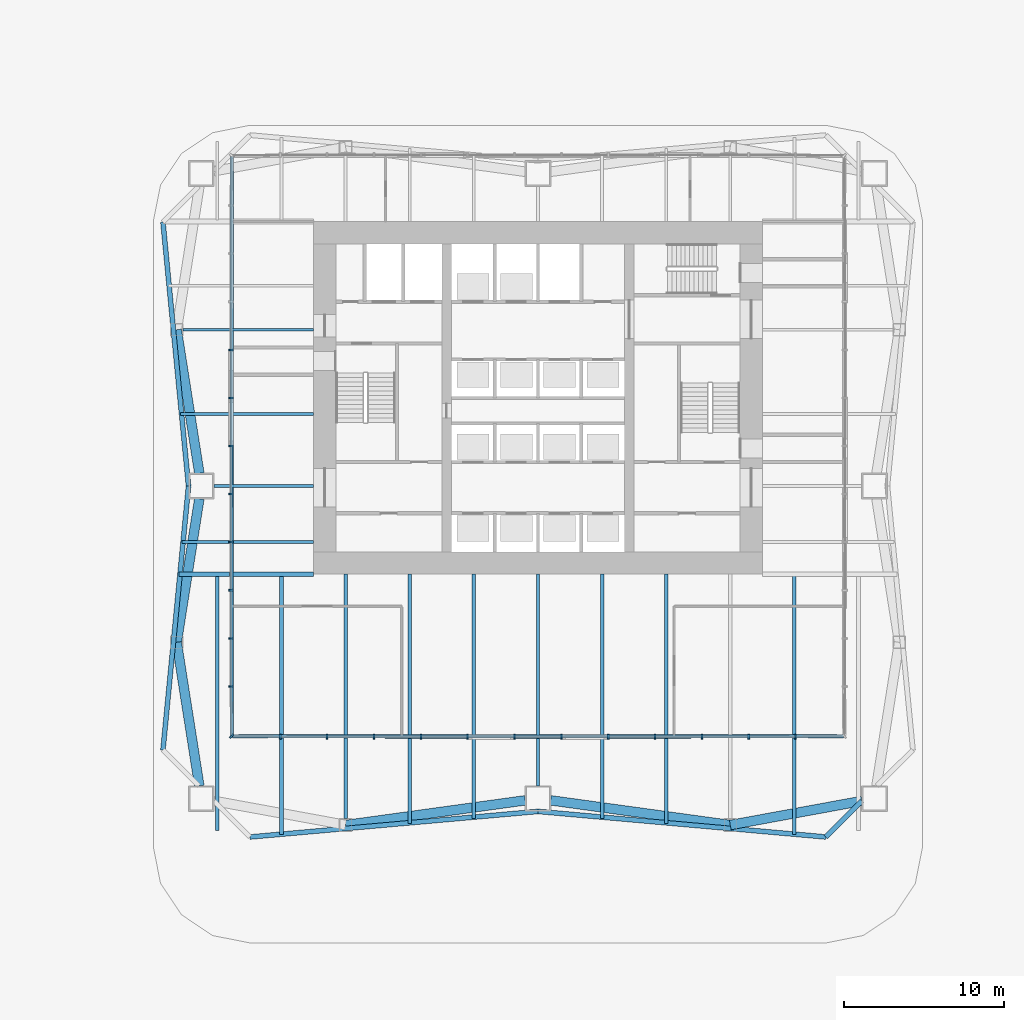
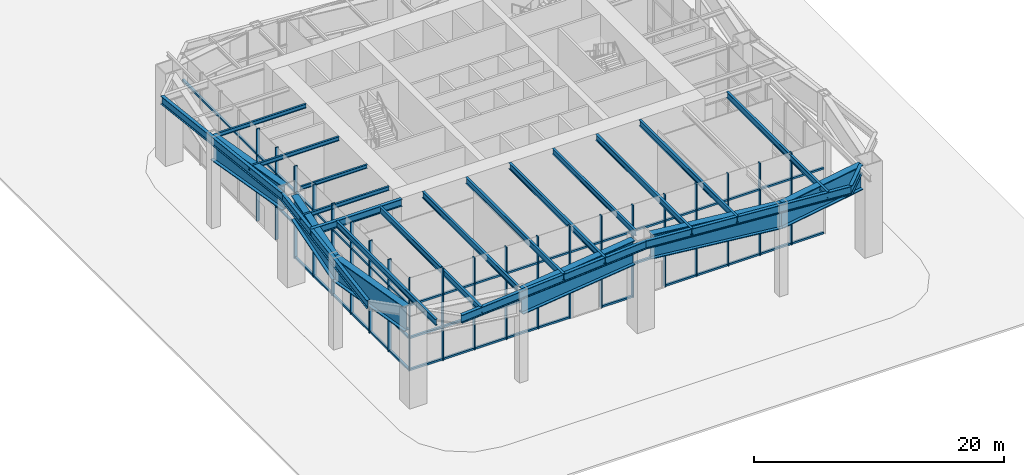
# One storey, part 2 of 13: 29 members, 25 beams, 2 elements without a shape of their own.
"""IFC4 building model written with IfcOpenShell, lengths in metres."""

from ifc_helpers import new_model, si_unit, direction, frame, origin, origin_2d, place, context, subcontext, project, spatial, rectangle, i_section, extrude, material, material_profile, profile_set, type_object, element, aggregate, save


model = new_model("IFC4")

# Units and contexts
model_context = context("Model", 3, precision=1e-05, world=origin(), true_north=direction((0.0, 1.0)))
body_context = subcontext(model_context, "Body", "Model", "MODEL_VIEW")
ifc_project = project(units=[si_unit("LENGTHUNIT", "METRE"), si_unit("AREAUNIT", "SQUARE_METRE"), si_unit("VOLUMEUNIT", "CUBIC_METRE"), si_unit("PLANEANGLEUNIT", "RADIAN"), si_unit("MASSUNIT", "GRAM", prefix="KILO")], contexts=[model_context])

# Site, building, storey
site_placement = place(None, origin())
site = spatial("IfcSite", under=ifc_project, at=site_placement, CompositionType="ELEMENT")
building_placement = place(site_placement, origin())
building = spatial("IfcBuilding", under=site, at=building_placement, Name="Verdant Reach Tower", CompositionType="ELEMENT")
storey_placement = place(building_placement, origin())
storey = spatial("IfcBuildingStorey", under=building, at=storey_placement, Name="G", CompositionType="ELEMENT", Elevation=0.0)

# Curtain wall, members
ifc_material_1 = material(Name="Anodised aluminium", Category="aluminium")
curtain_wall_type = type_object("IfcCurtainWallType", Name="EN-CW SYSTEM LOBBY", PredefinedType="NOTDEFINED", material=ifc_material_1)
curtain_wall_1_placement = place(storey_placement, origin())
curtain_wall_1 = element("IfcCurtainWall", 1, at=curtain_wall_1_placement, inside=storey, type_object=curtain_wall_type, Name="Curtain wall south, G", PredefinedType="NOTDEFINED")
ifc_material_profile_1 = material_profile(ifc_material_1, rectangle(XDim=0.300048828125, YDim=0.10009765625, at=origin_2d()), Name="Mullion 100x300")
ifc_profile_set_1 = profile_set([ifc_material_profile_1], Name="Anodised aluminium")
member_type_1 = type_object("IfcMemberType", Name="EN-MULLION LOBBY", PredefinedType="MULLION", material=ifc_profile_set_1)
member_1_placement = place(storey_placement, frame((-19.10595703125, 6.89404296875, 0.0), z_axis=(0.0, 0.0, 1.0), x_axis=(-0.707106781187, -0.707106781187, 0.0)))
member_1 = element("IfcMember", 2, at=member_1_placement, type_object=member_type_1, Name="Mullion south face part 1 1, G", PredefinedType="MULLION", context=body_context, shape_type="SweptSolid", body=[
    extrude(rectangle(XDim=0.300048828125, YDim=0.10009765625, at=origin_2d()), origin(), (0.0, 0.0, 1.0), 9.0),
])
member_2_placement = place(storey_placement, frame((-16.076904296875, 6.85009765625, 0.0), z_axis=(0.0, 0.0, 1.0), x_axis=(0.0, -1.0, 0.0)))
member_2 = element("IfcMember", 3, at=member_2_placement, type_object=member_type_1, Name="Mullion south face part 1 2, G", PredefinedType="MULLION", context=body_context, shape_type="SweptSolid", body=[
    extrude(rectangle(XDim=0.300048828125, YDim=0.10009765625, at=origin_2d()), origin(), (0.0, 0.0, 1.0), 9.0),
])
member_3_placement = place(storey_placement, frame((-13.15380859375, 6.85009765625, 0.0), z_axis=(0.0, 0.0, 1.0), x_axis=(0.0, -1.0, 0.0)))
member_3 = element("IfcMember", 4, at=member_3_placement, type_object=member_type_1, Name="Mullion south face part 1 3, G", PredefinedType="MULLION", context=body_context, shape_type="SweptSolid", body=[
    extrude(rectangle(XDim=0.300048828125, YDim=0.10009765625, at=origin_2d()), origin(), (0.0, 0.0, 1.0), 9.0),
])
member_4_placement = place(storey_placement, frame((-10.230712890625, 6.85009765625, 0.0), z_axis=(0.0, 0.0, 1.0), x_axis=(0.0, -1.0, 0.0)))
member_4 = element("IfcMember", 5, at=member_4_placement, type_object=member_type_1, Name="Mullion south face part 1 4, G", PredefinedType="MULLION", context=body_context, shape_type="SweptSolid", body=[
    extrude(rectangle(XDim=0.300048828125, YDim=0.10009765625, at=origin_2d()), origin(), (0.0, 0.0, 1.0), 9.0),
])
member_5_placement = place(storey_placement, frame((-7.3076171875, 6.85009765625, 0.0), z_axis=(0.0, 0.0, 1.0), x_axis=(0.0, -1.0, 0.0)))
member_5 = element("IfcMember", 6, at=member_5_placement, type_object=member_type_1, Name="Mullion south face part 1 5, G", PredefinedType="MULLION", context=body_context, shape_type="SweptSolid", body=[
    extrude(rectangle(XDim=0.300048828125, YDim=0.10009765625, at=origin_2d()), origin(), (0.0, 0.0, 1.0), 9.0),
])
member_6_placement = place(storey_placement, frame((-4.384521484375, 6.85009765625, 0.0), z_axis=(0.0, 0.0, 1.0), x_axis=(0.0, -1.0, 0.0)))
member_6 = element("IfcMember", 7, at=member_6_placement, type_object=member_type_1, Name="Mullion south face part 1 6, G", PredefinedType="MULLION", context=body_context, shape_type="SweptSolid", body=[
    extrude(rectangle(XDim=0.300048828125, YDim=0.10009765625, at=origin_2d()), origin(), (0.0, 0.0, 1.0), 9.0),
])
member_7_placement = place(storey_placement, frame((-1.46142578125, 6.85009765625, 0.0), z_axis=(0.0, 0.0, 1.0), x_axis=(0.0, -1.0, 0.0)))
member_7 = element("IfcMember", 8, at=member_7_placement, type_object=member_type_1, Name="Mullion south face part 1 7, G", PredefinedType="MULLION", context=body_context, shape_type="SweptSolid", body=[
    extrude(rectangle(XDim=0.300048828125, YDim=0.10009765625, at=origin_2d()), origin(), (0.0, 0.0, 1.0), 9.0),
])
member_8_placement = place(storey_placement, frame((1.46142578125, 6.85009765625, 0.0), z_axis=(0.0, 0.0, 1.0), x_axis=(0.0, -1.0, 0.0)))
member_8 = element("IfcMember", 9, at=member_8_placement, type_object=member_type_1, Name="Mullion south face part 1 8, G", PredefinedType="MULLION", context=body_context, shape_type="SweptSolid", body=[
    extrude(rectangle(XDim=0.300048828125, YDim=0.10009765625, at=origin_2d()), origin(), (0.0, 0.0, 1.0), 9.0),
])
member_9_placement = place(storey_placement, frame((4.384521484375, 6.85009765625, 0.0), z_axis=(0.0, 0.0, 1.0), x_axis=(0.0, -1.0, 0.0)))
member_9 = element("IfcMember", 10, at=member_9_placement, type_object=member_type_1, Name="Mullion south face part 1 9, G", PredefinedType="MULLION", context=body_context, shape_type="SweptSolid", body=[
    extrude(rectangle(XDim=0.300048828125, YDim=0.10009765625, at=origin_2d()), origin(), (0.0, 0.0, 1.0), 9.0),
])
member_10_placement = place(storey_placement, frame((7.3076171875, 6.85009765625, 0.0), z_axis=(0.0, 0.0, 1.0), x_axis=(0.0, -1.0, 0.0)))
member_10 = element("IfcMember", 11, at=member_10_placement, type_object=member_type_1, Name="Mullion south face part 1 10, G", PredefinedType="MULLION", context=body_context, shape_type="SweptSolid", body=[
    extrude(rectangle(XDim=0.300048828125, YDim=0.10009765625, at=origin_2d()), origin(), (0.0, 0.0, 1.0), 9.0),
])
member_11_placement = place(storey_placement, frame((10.230712890625, 6.85009765625, 0.0), z_axis=(0.0, 0.0, 1.0), x_axis=(0.0, -1.0, 0.0)))
member_11 = element("IfcMember", 12, at=member_11_placement, type_object=member_type_1, Name="Mullion south face part 1 11, G", PredefinedType="MULLION", context=body_context, shape_type="SweptSolid", body=[
    extrude(rectangle(XDim=0.300048828125, YDim=0.10009765625, at=origin_2d()), origin(), (0.0, 0.0, 1.0), 9.0),
])
member_12_placement = place(storey_placement, frame((13.15380859375, 6.85009765625, 0.0), z_axis=(0.0, 0.0, 1.0), x_axis=(0.0, -1.0, 0.0)))
member_12 = element("IfcMember", 13, at=member_12_placement, type_object=member_type_1, Name="Mullion south face part 1 12, G", PredefinedType="MULLION", context=body_context, shape_type="SweptSolid", body=[
    extrude(rectangle(XDim=0.300048828125, YDim=0.10009765625, at=origin_2d()), origin(), (0.0, 0.0, 1.0), 9.0),
])
member_13_placement = place(storey_placement, frame((16.076904296875, 6.85009765625, 0.0), z_axis=(0.0, 0.0, 1.0), x_axis=(0.0, -1.0, 0.0)))
member_13 = element("IfcMember", 14, at=member_13_placement, type_object=member_type_1, Name="Mullion south face part 1 13, G", PredefinedType="MULLION", context=body_context, shape_type="SweptSolid", body=[
    extrude(rectangle(XDim=0.300048828125, YDim=0.10009765625, at=origin_2d()), origin(), (0.0, 0.0, 1.0), 9.0),
])

curtain_wall_2_placement = place(storey_placement, origin())
curtain_wall_2 = element("IfcCurtainWall", 15, at=curtain_wall_2_placement, inside=storey, type_object=curtain_wall_type, Name="Curtain wall west, G", PredefinedType="NOTDEFINED")
member_14_placement = place(storey_placement, frame((-19.14990234375, 31.0, 0.0), z_axis=(0.0, 0.0, 1.0), x_axis=(-1.0, 0.0, 0.0)))
member_14 = element("IfcMember", 16, at=member_14_placement, type_object=member_type_1, Name="Mullion west face part 1 5, G", PredefinedType="MULLION", context=body_context, shape_type="SweptSolid", body=[
    extrude(rectangle(XDim=0.300048828125, YDim=0.10009765625, at=origin_2d()), origin(), (0.0, 0.0, 1.0), 9.0),
])
member_15_placement = place(storey_placement, frame((-19.14990234375, 28.0, 0.0), z_axis=(0.0, 0.0, 1.0), x_axis=(-1.0, 0.0, 0.0)))
member_15 = element("IfcMember", 17, at=member_15_placement, type_object=member_type_1, Name="Mullion west face part 1 6, G", PredefinedType="MULLION", context=body_context, shape_type="SweptSolid", body=[
    extrude(rectangle(XDim=0.300048828125, YDim=0.10009765625, at=origin_2d()), origin(), (0.0, 0.0, 1.0), 9.0),
])
member_16_placement = place(storey_placement, frame((-19.14990234375, 25.0, 0.0), z_axis=(0.0, 0.0, 1.0), x_axis=(-1.0, 0.0, 0.0)))
member_16 = element("IfcMember", 18, at=member_16_placement, type_object=member_type_1, Name="Mullion west face part 1 7, G", PredefinedType="MULLION", context=body_context, shape_type="SweptSolid", body=[
    extrude(rectangle(XDim=0.300048828125, YDim=0.10009765625, at=origin_2d()), origin(), (0.0, 0.0, 1.0), 9.0),
])
member_17_placement = place(storey_placement, frame((-19.14990234375, 22.0, 0.0), z_axis=(0.0, 0.0, 1.0), x_axis=(-1.0, 0.0, 0.0)))
member_17 = element("IfcMember", 19, at=member_17_placement, type_object=member_type_1, Name="Mullion west face part 1 8, G", PredefinedType="MULLION", context=body_context, shape_type="SweptSolid", body=[
    extrude(rectangle(XDim=0.300048828125, YDim=0.10009765625, at=origin_2d()), origin(), (0.0, 0.0, 1.0), 9.0),
])
member_18_placement = place(storey_placement, frame((-19.14990234375, 19.0, 0.0), z_axis=(0.0, 0.0, 1.0), x_axis=(-1.0, 0.0, 0.0)))
member_18 = element("IfcMember", 20, at=member_18_placement, type_object=member_type_1, Name="Mullion west face part 1 9, G", PredefinedType="MULLION", context=body_context, shape_type="SweptSolid", body=[
    extrude(rectangle(XDim=0.300048828125, YDim=0.10009765625, at=origin_2d()), origin(), (0.0, 0.0, 1.0), 9.0),
])
member_19_placement = place(storey_placement, frame((-19.14990234375, 16.0, 0.0), z_axis=(0.0, 0.0, 1.0), x_axis=(-1.0, 0.0, 0.0)))
member_19 = element("IfcMember", 21, at=member_19_placement, type_object=member_type_1, Name="Mullion west face part 1 10, G", PredefinedType="MULLION", context=body_context, shape_type="SweptSolid", body=[
    extrude(rectangle(XDim=0.300048828125, YDim=0.10009765625, at=origin_2d()), origin(), (0.0, 0.0, 1.0), 9.0),
])
member_20_placement = place(storey_placement, frame((-19.14990234375, 13.0, 0.0), z_axis=(0.0, 0.0, 1.0), x_axis=(-1.0, 0.0, 0.0)))
member_20 = element("IfcMember", 22, at=member_20_placement, type_object=member_type_1, Name="Mullion west face part 1 11, G", PredefinedType="MULLION", context=body_context, shape_type="SweptSolid", body=[
    extrude(rectangle(XDim=0.300048828125, YDim=0.10009765625, at=origin_2d()), origin(), (0.0, 0.0, 1.0), 9.0),
])
member_21_placement = place(storey_placement, frame((-19.14990234375, 10.0, 0.0), z_axis=(0.0, 0.0, 1.0), x_axis=(-1.0, 0.0, 0.0)))
member_21 = element("IfcMember", 23, at=member_21_placement, type_object=member_type_1, Name="Mullion west face part 1 12, G", PredefinedType="MULLION", context=body_context, shape_type="SweptSolid", body=[
    extrude(rectangle(XDim=0.300048828125, YDim=0.10009765625, at=origin_2d()), origin(), (0.0, 0.0, 1.0), 9.0),
])

# Member
ifc_material_profile_2 = material_profile(ifc_material_1, rectangle(XDim=0.199951171875, YDim=0.179931640625, at=origin_2d()), Name="Transom 180x200")
ifc_profile_set_2 = profile_set([ifc_material_profile_2], Name="Anodised aluminium")
member_type_2 = type_object("IfcMemberType", Name="EN-TRANSOM LOBBY", PredefinedType="USERDEFINED", material=ifc_profile_set_2)
member_22_placement = place(storey_placement, frame((-19.05615234375, 6.893798828125, 0.090087890625), z_axis=(0.999995533529, -0.002988799474, 0.0), x_axis=(0.002988799474, 0.999995533529, 0.0)))
member_22 = element("IfcMember", 24, at=member_22_placement, type_object=member_type_2, Name="Transom south face part 1 1.1, G", ObjectType="TRANSOM", PredefinedType="USERDEFINED", context=body_context, shape_type="SweptSolid", body=[
    extrude(rectangle(XDim=0.199951171875, YDim=0.179931640625, at=origin_2d()), origin(), (0.0, 0.0, 1.0), 14.62158203125),
])

member_23_placement = place(storey_placement, frame((-1.41162109375, 6.85009765625, 0.090087890625), z_axis=(1.0, 0.0, 0.0), x_axis=(0.0, 1.0, 0.0)))
member_23 = element("IfcMember", 25, at=member_23_placement, type_object=member_type_2, Name="Transom south face part 1 2.1, G", ObjectType="TRANSOM", PredefinedType="USERDEFINED", context=body_context, shape_type="SweptSolid", body=[
    extrude(rectangle(XDim=0.199951171875, YDim=0.179931640625, at=origin_2d()), origin(), (0.0, 0.0, 1.0), 2.8232421875),
])

member_24_placement = place(storey_placement, frame((4.4345703125, 6.85009765625, 0.090087890625), z_axis=(0.999995533529, 0.002988799474, 0.0), x_axis=(-0.002988799474, 0.999995533529, 0.0)))
member_24 = element("IfcMember", 26, at=member_24_placement, type_object=member_type_2, Name="Transom south face part 1 3.1, G", ObjectType="TRANSOM", PredefinedType="USERDEFINED", context=body_context, shape_type="SweptSolid", body=[
    extrude(rectangle(XDim=0.199951171875, YDim=0.179931640625, at=origin_2d()), origin(), (0.0, 0.0, 1.0), 14.62158203125),
])

member_25_placement = place(storey_placement, frame((-19.05615234375, 6.89404296875, 3.199951171875), z_axis=(1.0, 0.0, 0.0), x_axis=(0.0, 1.0, 0.0)))
member_25 = element("IfcMember", 27, at=member_25_placement, type_object=member_type_2, Name="Transom south face part 1 1.2, G", ObjectType="TRANSOM", PredefinedType="USERDEFINED", context=body_context, shape_type="SweptSolid", body=[
    extrude(rectangle(XDim=0.199951171875, YDim=0.179931640625, at=origin_2d()), origin(), (0.0, 0.0, 1.0), 38.1123046875),
])

member_26_placement = place(storey_placement, frame((-19.05615234375, 6.89404296875, 6.39990234375), z_axis=(1.0, 0.0, 0.0), x_axis=(0.0, 1.0, 0.0)))
member_26 = element("IfcMember", 28, at=member_26_placement, type_object=member_type_2, Name="Transom south face part 1 1.3, G", ObjectType="TRANSOM", PredefinedType="USERDEFINED", context=body_context, shape_type="SweptSolid", body=[
    extrude(rectangle(XDim=0.199951171875, YDim=0.179931640625, at=origin_2d()), origin(), (0.0, 0.0, 1.0), 38.1123046875),
])

aggregate(curtain_wall_1, [member_1, member_2, member_3, member_4, member_5, member_6, member_7, member_8, member_9, member_10, member_11, member_12, member_13, member_22, member_23, member_24, member_25, member_26])

member_27_placement = place(storey_placement, frame((-19.14990234375, 24.949951171875, 0.090087890625), z_axis=(0.00242701277, -0.9999970548, 0.0), x_axis=(0.9999970548, 0.00242701277, 0.0)))
member_27 = element("IfcMember", 29, at=member_27_placement, type_object=member_type_2, Name="Transom west face part 1 2.1, G", ObjectType="TRANSOM", PredefinedType="USERDEFINED", context=body_context, shape_type="SweptSolid", body=[
    extrude(rectangle(XDim=0.199951171875, YDim=0.179931640625, at=origin_2d()), origin(), (0.0, 0.0, 1.0), 18.006103515625),
])

member_28_placement = place(storey_placement, frame((-19.10595703125, 43.05615234375, 3.199951171875), z_axis=(0.0, -1.0, 0.0), x_axis=(1.0, 0.0, 0.0)))
member_28 = element("IfcMember", 30, at=member_28_placement, type_object=member_type_2, Name="Transom west face part 1 1.2, G", ObjectType="TRANSOM", PredefinedType="USERDEFINED", context=body_context, shape_type="SweptSolid", body=[
    extrude(rectangle(XDim=0.199951171875, YDim=0.179931640625, at=origin_2d()), origin(), (0.0, 0.0, 1.0), 36.1123046875),
])

member_29_placement = place(storey_placement, frame((-19.10595703125, 43.05615234375, 6.39990234375), z_axis=(0.0, -1.0, 0.0), x_axis=(1.0, 0.0, 0.0)))
member_29 = element("IfcMember", 31, at=member_29_placement, type_object=member_type_2, Name="Transom west face part 1 1.3, G", ObjectType="TRANSOM", PredefinedType="USERDEFINED", context=body_context, shape_type="SweptSolid", body=[
    extrude(rectangle(XDim=0.199951171875, YDim=0.179931640625, at=origin_2d()), origin(), (0.0, 0.0, 1.0), 36.1123046875),
])

aggregate(curtain_wall_2, [member_14, member_15, member_16, member_17, member_18, member_19, member_20, member_21, member_27, member_28, member_29])

# Beams
ifc_material_2 = material(Name="Steel S355", Category="steel")
ifc_material_profile_3 = material_profile(ifc_material_2, i_section(OverallWidth=0.300048828125, OverallDepth=0.699951171875, WebThickness=0.01708984375, FlangeThickness=0.031982421875, FilletRadius=0.027099609375, at=origin_2d()), Name="HEB 700")
ifc_profile_set_3 = profile_set([ifc_material_profile_3], Name="Steel S355")
beam_type_1 = type_object("IfcBeamType", Name="ST-BEAM-HEB700", PredefinedType="BEAM", material=ifc_profile_set_3)
beam_1_placement = place(storey_placement, frame((-14.0, 17.0, 8.52001953125), z_axis=(-1.0, 0.0, 0.0), x_axis=(0.0, -1.0, 0.0)))
element("IfcBeam", 32, at=beam_1_placement, inside=storey, type_object=beam_type_1, Name="Trimmer beam, G", PredefinedType="BEAM", context=body_context, shape_type="SweptSolid", body=[
    extrude(i_section(OverallWidth=0.300048828125, OverallDepth=0.699951171875, WebThickness=0.01708984375, FlangeThickness=0.031982421875, FilletRadius=0.027099609375, at=origin_2d()), origin(), (0.0, 0.0, 1.0), 8.3974609375),
])
ifc_material_profile_4 = material_profile(ifc_material_2, i_section(OverallWidth=0.60009765625, OverallDepth=2.39990234375, WebThickness=0.0400390625, FlangeThickness=0.080078125, at=origin_2d()), Name="PG 2400x600x40x80")
ifc_profile_set_4 = profile_set([ifc_material_profile_4], Name="Steel S355")
beam_type_2 = type_object("IfcBeamType", Name="ST-BEAM-PG2400x600x40x80", PredefinedType="BEAM", material=ifc_profile_set_4)
for number, where, z_axis, x_axis, name in (
    (33, (-12.0, 1.35009765625, 7.669921875), (0.990679058264, 0.136216751966, 0.0), (-0.136216751966, 0.990679058264, 0.0), "Transfer girder south 6, ground storey"),
    (34, (0.79248046875, 2.89111328125, 7.669921875), (0.990679058264, -0.136216751966, 0.0), (0.136216751966, 0.990679058264, 0.0), "Transfer girder south 7, ground storey"),
):
    element("IfcBeam", number, at=place(storey_placement, frame(where, z_axis=z_axis, x_axis=x_axis)), inside=storey, type_object=beam_type_2, Name=name, PredefinedType="BEAM", context=body_context, shape_type="SweptSolid", body=[
        extrude(i_section(OverallWidth=0.60009765625, OverallDepth=2.39990234375, WebThickness=0.0400390625, FlangeThickness=0.080078125, at=origin_2d()), origin(), (0.0, 0.0, 1.0), 11.31298828125),
    ])
beam_2_placement = place(storey_placement, frame((12.0, 1.35009765625, 7.669921875), z_axis=(0.983609236735, 0.180313253558, 0.0), x_axis=(-0.180313253558, 0.983609236735, 0.0)))
element("IfcBeam", 35, at=beam_2_placement, inside=storey, type_object=beam_type_2, Name="Transfer girder south 8, ground storey", PredefinedType="BEAM", context=body_context, shape_type="SweptSolid", body=[
    extrude(i_section(OverallWidth=0.60009765625, OverallDepth=2.39990234375, WebThickness=0.0400390625, FlangeThickness=0.080078125, at=origin_2d()), origin(), (0.0, 0.0, 1.0), 8.35009765625),
])
for number, where, z_axis, x_axis, name in (
    (36, (-21.12451171875, 3.790283203125, 7.669921875), (-0.155658481672, 0.987810931851, 0.0), (-0.987810931851, -0.155658481672, 0.0), "Transfer girder west 13, ground storey"),
    (37, (-22.536376953125, 12.75, 7.669921875), (0.155658481672, 0.987810931851, 0.0), (-0.987810931851, 0.155658481672, 0.0), "Transfer girder west 14, ground storey"),
    (38, (-21.12451171875, 23.290283203125, 7.669921875), (-0.155658481672, 0.987810931851, 0.0), (-0.987810931851, -0.155658481672, 0.0), "Transfer girder west 15, ground storey"),
):
    element("IfcBeam", number, at=place(storey_placement, frame(where, z_axis=z_axis, x_axis=x_axis)), inside=storey, type_object=beam_type_2, Name=name, PredefinedType="BEAM", context=body_context, shape_type="SweptSolid", body=[
        extrude(i_section(OverallWidth=0.60009765625, OverallDepth=2.39990234375, WebThickness=0.0400390625, FlangeThickness=0.080078125, at=origin_2d()), origin(), (0.0, 0.0, 1.0), 9.0703125),
    ])
ifc_material_profile_5 = material_profile(ifc_material_2, i_section(OverallWidth=0.169921875, OverallDepth=0.360107421875, WebThickness=0.008056640625, FlangeThickness=0.0126953125, FilletRadius=0.01806640625, at=origin_2d()), Name="IPE 360")
ifc_profile_set_5 = profile_set([ifc_material_profile_5], Name="Steel S355")
beam_type_3 = type_object("IfcBeamType", Name="ST-JOIST-IPE360", PredefinedType="JOIST", material=ifc_profile_set_5)
beam_3_placement = place(storey_placement, frame((-14.0, 22.5, 8.68994140625), z_axis=(-1.0, 0.0, 0.0), x_axis=(0.0, -1.0, 0.0)))
element("IfcBeam", 39, at=beam_3_placement, inside=storey, type_object=beam_type_3, Name="Floor joist, G", PredefinedType="JOIST", context=body_context, shape_type="SweptSolid", body=[
    extrude(i_section(OverallWidth=0.169921875, OverallDepth=0.360107421875, WebThickness=0.008056640625, FlangeThickness=0.0126953125, FilletRadius=0.01806640625, at=origin_2d()), origin(), (0.0, 0.0, 1.0), 6.199951171875),
])
ifc_material_profile_6 = material_profile(ifc_material_2, i_section(OverallWidth=0.179931640625, OverallDepth=0.39990234375, WebThickness=0.008544921875, FlangeThickness=0.013427734375, FilletRadius=0.02099609375, at=origin_2d()), Name="IPE 400")
ifc_profile_set_6 = profile_set([ifc_material_profile_6], Name="Steel S355")
beam_type_4 = type_object("IfcBeamType", Name="ST-JOIST-IPE400", PredefinedType="JOIST", material=ifc_profile_set_6)
beam_4_placement = place(storey_placement, frame((-14.0, 19.0, 8.669921875), z_axis=(-1.0, 0.0, 0.0), x_axis=(0.0, -1.0, 0.0)))
element("IfcBeam", 40, at=beam_4_placement, inside=storey, type_object=beam_type_4, Name="Floor joist, G", PredefinedType="JOIST", context=body_context, shape_type="SweptSolid", body=[
    extrude(i_section(OverallWidth=0.179931640625, OverallDepth=0.39990234375, WebThickness=0.008544921875, FlangeThickness=0.013427734375, FilletRadius=0.02099609375, at=origin_2d()), origin(), (0.0, 0.0, 1.0), 8.2158203125),
])
beam_5_placement = place(storey_placement, frame((-14.0, 27.0, 8.669921875), z_axis=(-1.0, 0.0, 0.0), x_axis=(0.0, -1.0, 0.0)))
element("IfcBeam", 41, at=beam_5_placement, inside=storey, type_object=beam_type_4, Name="Floor joist, G", PredefinedType="JOIST", context=body_context, shape_type="SweptSolid", body=[
    extrude(i_section(OverallWidth=0.179931640625, OverallDepth=0.39990234375, WebThickness=0.008544921875, FlangeThickness=0.013427734375, FilletRadius=0.02099609375, at=origin_2d()), origin(), (0.0, 0.0, 1.0), 8.306640625),
])
beam_6_placement = place(storey_placement, frame((-14.0, 32.25, 8.669921875), z_axis=(-1.0, 0.0, 0.0), x_axis=(0.0, -1.0, 0.0)))
element("IfcBeam", 42, at=beam_6_placement, inside=storey, type_object=beam_type_4, Name="Floor joist, G", PredefinedType="JOIST", context=body_context, shape_type="SweptSolid", body=[
    extrude(i_section(OverallWidth=0.179931640625, OverallDepth=0.39990234375, WebThickness=0.008544921875, FlangeThickness=0.013427734375, FilletRadius=0.02099609375, at=origin_2d()), origin(), (0.0, 0.0, 1.0), 8.136474609375),
])
ifc_material_profile_7 = material_profile(ifc_material_2, i_section(OverallWidth=0.2099609375, OverallDepth=0.550048828125, WebThickness=0.010986328125, FlangeThickness=0.01708984375, FilletRadius=0.02392578125, at=origin_2d()), Name="IPE 550")
ifc_profile_set_7 = profile_set([ifc_material_profile_7], Name="Steel S355")
beam_type_5 = type_object("IfcBeamType", Name="ST-JOIST-IPE550", PredefinedType="JOIST", material=ifc_profile_set_7)
beam_7_placement = place(storey_placement, frame((0.0, 17.0, 8.594970703125), z_axis=(0.0, -1.0, 0.0), x_axis=(1.0, 0.0, 0.0)))
element("IfcBeam", 43, at=beam_7_placement, inside=storey, type_object=beam_type_5, Name="Floor joist, G", PredefinedType="JOIST", context=body_context, shape_type="SweptSolid", body=[
    extrude(i_section(OverallWidth=0.2099609375, OverallDepth=0.550048828125, WebThickness=0.010986328125, FlangeThickness=0.01708984375, FilletRadius=0.02392578125, at=origin_2d()), origin(), (0.0, 0.0, 1.0), 13.199951171875),
])
ifc_material_profile_8 = material_profile(ifc_material_2, i_section(OverallWidth=0.219970703125, OverallDepth=0.60009765625, WebThickness=0.011962890625, FlangeThickness=0.01904296875, FilletRadius=0.02392578125, at=origin_2d()), Name="IPE 600")
ifc_profile_set_8 = profile_set([ifc_material_profile_8], Name="Steel S355")
beam_type_6 = type_object("IfcBeamType", Name="ST-JOIST-IPE600", PredefinedType="JOIST", material=ifc_profile_set_8)
beam_8_placement = place(storey_placement, frame((-20.0, 16.89990234375, 8.570068359375), z_axis=(0.0, -1.0, 0.0), x_axis=(1.0, 0.0, 0.0)))
element("IfcBeam", 44, at=beam_8_placement, inside=storey, type_object=beam_type_6, Name="Floor joist, G", PredefinedType="JOIST", context=body_context, shape_type="SweptSolid", body=[
    extrude(i_section(OverallWidth=0.219970703125, OverallDepth=0.60009765625, WebThickness=0.011962890625, FlangeThickness=0.01904296875, FilletRadius=0.02392578125, at=origin_2d()), origin(), (0.0, 0.0, 1.0), 15.890380859375),
])
beam_9_placement = place(storey_placement, frame((-16.0, 16.89990234375, 8.570068359375), z_axis=(0.0, -1.0, 0.0), x_axis=(1.0, 0.0, 0.0)))
element("IfcBeam", 45, at=beam_9_placement, inside=storey, type_object=beam_type_6, Name="Floor joist, G", PredefinedType="JOIST", context=body_context, shape_type="SweptSolid", body=[
    extrude(i_section(OverallWidth=0.219970703125, OverallDepth=0.60009765625, WebThickness=0.011962890625, FlangeThickness=0.01904296875, FilletRadius=0.02392578125, at=origin_2d()), origin(), (0.0, 0.0, 1.0), 16.131103515625),
])
beam_10_placement = place(storey_placement, frame((-12.0, 17.0, 8.570068359375), z_axis=(0.0, -1.0, 0.0), x_axis=(1.0, 0.0, 0.0)))
element("IfcBeam", 46, at=beam_10_placement, inside=storey, type_object=beam_type_6, Name="Floor joist, G", PredefinedType="JOIST", context=body_context, shape_type="SweptSolid", body=[
    extrude(i_section(OverallWidth=0.219970703125, OverallDepth=0.60009765625, WebThickness=0.011962890625, FlangeThickness=0.01904296875, FilletRadius=0.02392578125, at=origin_2d()), origin(), (0.0, 0.0, 1.0), 15.25),
])
beam_11_placement = place(storey_placement, frame((-8.0, 17.0, 8.570068359375), z_axis=(0.0, -1.0, 0.0), x_axis=(1.0, 0.0, 0.0)))
element("IfcBeam", 47, at=beam_11_placement, inside=storey, type_object=beam_type_6, Name="Floor joist, G", PredefinedType="JOIST", context=body_context, shape_type="SweptSolid", body=[
    extrude(i_section(OverallWidth=0.219970703125, OverallDepth=0.60009765625, WebThickness=0.011962890625, FlangeThickness=0.01904296875, FilletRadius=0.02392578125, at=origin_2d()), origin(), (0.0, 0.0, 1.0), 15.564697265625),
])
for number, where, z_axis, x_axis, name in (
    (48, (-4.0, 17.0, 8.570068359375), (0.0, -1.0, 0.0), (1.0, 0.0, 0.0), "Floor joist, G"),
    (49, (4.0, 17.0, 8.570068359375), (0.0, -1.0, 0.0), (1.0, 0.0, 0.0), "Floor joist, G"),
):
    element("IfcBeam", number, at=place(storey_placement, frame(where, z_axis=z_axis, x_axis=x_axis)), inside=storey, type_object=beam_type_6, Name=name, PredefinedType="JOIST", context=body_context, shape_type="SweptSolid", body=[
        extrude(i_section(OverallWidth=0.219970703125, OverallDepth=0.60009765625, WebThickness=0.011962890625, FlangeThickness=0.01904296875, FilletRadius=0.02392578125, at=origin_2d()), origin(), (0.0, 0.0, 1.0), 15.231201171875),
    ])
beam_12_placement = place(storey_placement, frame((8.0, 17.0, 8.570068359375), z_axis=(0.0, -1.0, 0.0), x_axis=(1.0, 0.0, 0.0)))
element("IfcBeam", 50, at=beam_12_placement, inside=storey, type_object=beam_type_6, Name="Floor joist, G", PredefinedType="JOIST", context=body_context, shape_type="SweptSolid", body=[
    extrude(i_section(OverallWidth=0.219970703125, OverallDepth=0.60009765625, WebThickness=0.011962890625, FlangeThickness=0.01904296875, FilletRadius=0.02392578125, at=origin_2d()), origin(), (0.0, 0.0, 1.0), 15.564697265625),
])
beam_13_placement = place(storey_placement, frame((16.0, 16.89990234375, 8.570068359375), z_axis=(0.0, -1.0, 0.0), x_axis=(1.0, 0.0, 0.0)))
element("IfcBeam", 51, at=beam_13_placement, inside=storey, type_object=beam_type_6, Name="Floor joist, G", PredefinedType="JOIST", context=body_context, shape_type="SweptSolid", body=[
    extrude(i_section(OverallWidth=0.219970703125, OverallDepth=0.60009765625, WebThickness=0.011962890625, FlangeThickness=0.01904296875, FilletRadius=0.02392578125, at=origin_2d()), origin(), (0.0, 0.0, 1.0), 16.131103515625),
])
ifc_material_profile_9 = material_profile(ifc_material_2, i_section(OverallWidth=0.300048828125, OverallDepth=0.800048828125, WebThickness=0.017578125, FlangeThickness=0.032958984375, FilletRadius=0.030029296875, at=origin_2d()), Name="HEB 800")
ifc_profile_set_9 = profile_set([ifc_material_profile_9], Name="Steel S355")
beam_type_7 = type_object("IfcBeamType", Name="ST-SPANDREL-HEB800", PredefinedType="SPANDREL", material=ifc_profile_set_9)
for number, where, z_axis, x_axis, name in (
    (52, (17.9658203125, 0.60498046875, 8.469970703125), (-0.996082370463, 0.088430262084, 0.0), (-0.088430262084, -0.996082370463, 0.0), "Edge beam, G"),
    (53, (0.0, 2.199951171875, 8.469970703125), (-0.996082370463, -0.088430262084, 0.0), (0.088430262084, -0.996082370463, 0.0), "Edge beam, G"),
):
    element("IfcBeam", number, at=place(storey_placement, frame(where, z_axis=z_axis, x_axis=x_axis)), inside=storey, type_object=beam_type_7, Name=name, PredefinedType="SPANDREL", context=body_context, shape_type="SweptSolid", body=[
        extrude(i_section(OverallWidth=0.300048828125, OverallDepth=0.800048828125, WebThickness=0.017578125, FlangeThickness=0.032958984375, FilletRadius=0.030029296875, at=origin_2d()), origin(), (0.0, 0.0, 1.0), 18.036376953125),
    ])
for number, where, z_axis, x_axis, name in (
    (54, (-23.39453125, 6.031982421875, 8.469970703125), (0.096372296695, 0.995345357366, 0.0), (-0.995345357366, 0.096372296695, 0.0), "Edge beam, G"),
    (55, (-21.800048828125, 22.5, 8.469970703125), (-0.096372296695, 0.995345357366, 0.0), (-0.995345357366, -0.096372296695, 0.0), "Edge beam, G"),
):
    element("IfcBeam", number, at=place(storey_placement, frame(where, z_axis=z_axis, x_axis=x_axis)), inside=storey, type_object=beam_type_7, Name=name, PredefinedType="SPANDREL", context=body_context, shape_type="SweptSolid", body=[
        extrude(i_section(OverallWidth=0.300048828125, OverallDepth=0.800048828125, WebThickness=0.017578125, FlangeThickness=0.032958984375, FilletRadius=0.030029296875, at=origin_2d()), origin(), (0.0, 0.0, 1.0), 16.544921875),
    ])
ifc_material_profile_10 = material_profile(ifc_material_2, i_section(OverallWidth=0.302001953125, OverallDepth=0.909912109375, WebThickness=0.02099609375, FlangeThickness=0.0400390625, FilletRadius=0.030029296875, at=origin_2d()), Name="HEM 900")
ifc_profile_set_10 = profile_set([ifc_material_profile_10], Name="Steel S355")
beam_type_8 = type_object("IfcBeamType", Name="ST-SPANDREL-HEM900", PredefinedType="SPANDREL", material=ifc_profile_set_10)
beam_14_placement = place(storey_placement, frame((20.199951171875, 2.83837890625, 8.4150390625), z_axis=(-0.707222697162, -0.706990846206, 0.0), x_axis=(0.706990846206, -0.707222697162, 0.0)))
element("IfcBeam", 56, at=beam_14_placement, inside=storey, type_object=beam_type_8, Name="Edge beam, G", PredefinedType="SPANDREL", context=body_context, shape_type="SweptSolid", body=[
    extrude(i_section(OverallWidth=0.302001953125, OverallDepth=0.909912109375, WebThickness=0.02099609375, FlangeThickness=0.0400390625, FilletRadius=0.030029296875, at=origin_2d()), origin(), (0.0, 0.0, 1.0), 3.158935546875),
])

save(model, "model.ifc")
